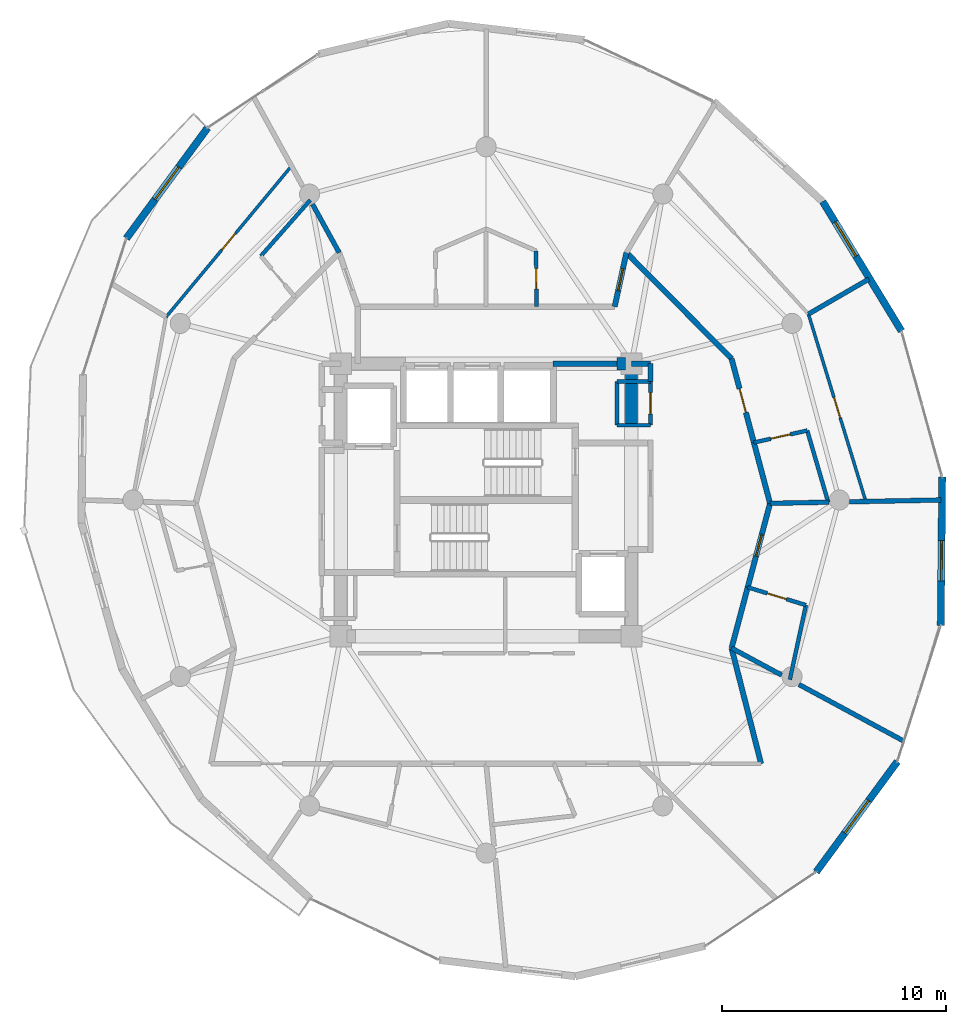
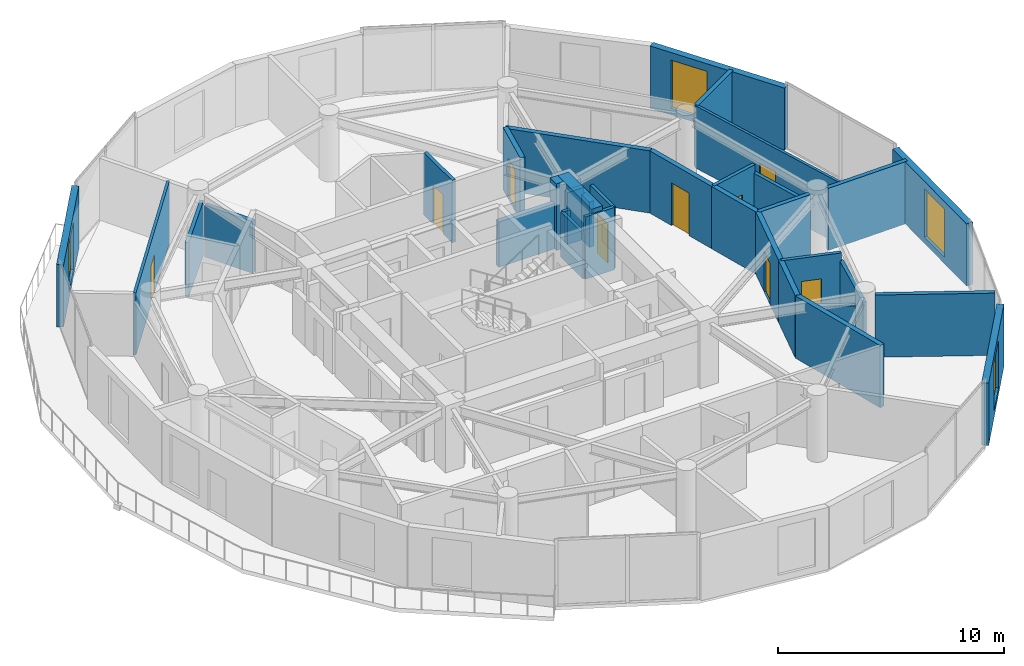
# One storey, part 17 of 20: 34 walls, 9 doors, 4 windows, 13 openings.
"""IFC4 building model written with IfcOpenShell, lengths in metres."""

from ifc_helpers import new_model, si_unit, direction, frame, frame_2d, origin, place, context, subcontext, project, spatial, rectangle, extrude, material, layer, layer_set, type_object, element, fill, save


model = new_model("IFC4")

# Units and contexts
model_context = context("Model", 3, precision=1e-05, world=origin(), true_north=direction((0.0, 1.0)))
body_context = subcontext(model_context, "Body", "Model", "MODEL_VIEW")
ifc_project = project(units=[si_unit("LENGTHUNIT", "METRE"), si_unit("AREAUNIT", "SQUARE_METRE"), si_unit("VOLUMEUNIT", "CUBIC_METRE"), si_unit("PLANEANGLEUNIT", "RADIAN"), si_unit("MASSUNIT", "GRAM", prefix="KILO")], contexts=[model_context])

# Site, building, storey
site_placement = place(None, origin())
site = spatial("IfcSite", under=ifc_project, at=site_placement, CompositionType="ELEMENT")
building_placement = place(site_placement, origin())
building = spatial("IfcBuilding", under=site, at=building_placement, Name="Solvirekh Grand Hotel", CompositionType="ELEMENT")
storey_placement = place(building_placement, frame((0.0, 0.0, 209.199951171875)))
storey = spatial("IfcBuildingStorey", under=building, at=storey_placement, Name="L54", CompositionType="ELEMENT", Elevation=209.199951171875)

# Walls
ifc_material_1 = material(Name="Concrete C50/60", Category="concrete")
ifc_layer_1 = layer(ifc_material_1, 0.550048828125)
ifc_layer_set_1 = layer_set([ifc_layer_1], Name="Concrete C50/60")
wall_type_1 = type_object("IfcWallType", Name="CoreWall_RC550", PredefinedType="SHEAR", material=ifc_layer_set_1)
wall_1_placement = place(storey_placement, frame((5.85009765625, 6.10009765625, 0.0), z_axis=(0.0, 0.0, 1.0), x_axis=(1.0, 0.0, 0.0)))
element("IfcWall", 1, at=wall_1_placement, inside=storey, type_object=wall_type_1, Name="L54 core corner shear wall NE-N", PredefinedType="SHEAR", context=body_context, shape_type="SweptSolid", body=[
    extrude(rectangle(XDim=0.375, YDim=0.550048828125, at=frame_2d((0.1875, 0.0))), origin(), (0.0, 0.0, 1.0), 3.60009765625),
])
wall_2_placement = place(storey_placement, frame((6.5, 3.35009765625, 0.0), z_axis=(0.0, 0.0, 1.0), x_axis=(0.0, 1.0, 0.0)))
element("IfcWall", 2, at=wall_2_placement, inside=storey, type_object=wall_type_1, Name="L54 core corner shear wall EN-E", PredefinedType="SHEAR", context=body_context, shape_type="SweptSolid", body=[
    extrude(rectangle(XDim=3.02490234375, YDim=0.550048828125, at=frame_2d((1.512451171875, 0.0))), origin(), (0.0, 0.0, 1.0), 3.60009765625),
])

# Wall, opening, window
ifc_material_2 = material(Name="Precast concrete C45/55", Category="concrete")
ifc_layer_2 = layer(ifc_material_2, 0.320068359375)
ifc_layer_set_2 = layer_set([ifc_layer_2], Name="Precast concrete C45/55")
wall_type_2 = type_object("IfcWallType", Name="ExtLobbyWall_RC320", PredefinedType="SOLIDWALL", material=ifc_layer_set_2)
wall_3_placement = place(storey_placement, frame((18.39599609375, -11.701904296875, 0.0), z_axis=(0.0, 0.0, 1.0), x_axis=(-0.592167723458, -0.805814735094, 0.0)))
wall_3 = element("IfcWall", 3, at=wall_3_placement, inside=storey, type_object=wall_type_2, Name="L54 exterior structural wall chord 2", PredefinedType="SOLIDWALL", context=body_context, shape_type="SweptSolid", body=[
    extrude(rectangle(XDim=6.1318359375, YDim=0.320068359375, at=frame_2d((3.06591796875, 0.0))), origin(), (0.0, 0.0, 1.0), 3.360107421875),
])
opening_1_placement = place(wall_3_placement, frame((2.166015625, 0.0, 0.35009765625)))
opening_1 = element("IfcOpeningElement", 4, at=opening_1_placement, cuts=wall_3, Name="Opening W02", PredefinedType="OPENING", context=body_context, shape_type="SweptSolid", body=[
    extrude(rectangle(XDim=1.800048828125, YDim=2.60009765625, at=frame_2d((0.89990234375, 1.300048828125))), frame((0.0, 0.169921875, 0.0), z_axis=(0.0, -1.0, 0.0), x_axis=(1.0, 0.0, 0.0)), (0.0, 0.0, 1.0), 0.340087890625),
])
ifc_material_3 = material(Name="Low-E Tinted Bronze Laminated Glass", Category="aluminium")
window_type = type_object("IfcWindowType", Name="Win_LobbyExt_1800X2600", PartitioningType="SINGLE_PANEL", PredefinedType="WINDOW", material=ifc_material_3)
window_1_placement = place(opening_1_placement, origin())
window_1 = element("IfcWindow", 5, at=window_1_placement, inside=storey, type_object=window_type, Name="L54 panoramic bronze-framed window 2", OverallHeight=2.60009765625, OverallWidth=1.800048828125, PartitioningType="SINGLE_PANEL", PredefinedType="WINDOW", context=body_context, shape_type="SweptSolid", body=[
    extrude(rectangle(XDim=1.800048828125, YDim=2.60009765625, at=frame_2d((0.89990234375, 1.300048828125))), frame((0.0, 0.030029296875, 0.0), z_axis=(0.0, -1.0, 0.0), x_axis=(1.0, 0.0, 0.0)), (0.0, 0.0, 1.0), 0.06005859375),
])
fill(opening_1, window_1)

wall_4_placement = place(storey_placement, frame((20.402099609375, 1.02197265625, 0.0), z_axis=(0.0, 0.0, 1.0), x_axis=(-0.009674000115, -0.999953205766, 0.0)))
wall_4 = element("IfcWall", 6, at=wall_4_placement, inside=storey, type_object=wall_type_2, Name="L54 exterior structural wall chord 4", PredefinedType="SOLIDWALL", context=body_context, shape_type="SweptSolid", body=[
    extrude(rectangle(XDim=6.63720703125, YDim=0.320068359375, at=frame_2d((3.318603515625, 0.0))), origin(), (0.0, 0.0, 1.0), 3.360107421875),
])
opening_2_placement = place(wall_4_placement, frame((2.843017578125, 0.0, 0.35009765625)))
opening_2 = element("IfcOpeningElement", 7, at=opening_2_placement, cuts=wall_4, Name="Opening W02", PredefinedType="OPENING", context=body_context, shape_type="SweptSolid", body=[
    extrude(rectangle(XDim=1.800048828125, YDim=2.60009765625, at=frame_2d((0.89990234375, 1.300048828125))), frame((0.0, 0.169921875, 0.0), z_axis=(0.0, -1.0, 0.0), x_axis=(1.0, 0.0, 0.0)), (0.0, 0.0, 1.0), 0.340087890625),
])
window_2_placement = place(opening_2_placement, origin())
window_2 = element("IfcWindow", 8, at=window_2_placement, inside=storey, type_object=window_type, Name="L54 panoramic bronze-framed window 4", OverallHeight=2.60009765625, OverallWidth=1.800048828125, PartitioningType="SINGLE_PANEL", PredefinedType="WINDOW", context=body_context, shape_type="SweptSolid", body=[
    extrude(rectangle(XDim=1.800048828125, YDim=2.60009765625, at=frame_2d((0.89990234375, 1.300048828125))), frame((0.0, 0.030029296875, 0.0), z_axis=(0.0, -1.0, 0.0), x_axis=(1.0, 0.0, 0.0)), (0.0, 0.0, 1.0), 0.06005859375),
])
fill(opening_2, window_2)

wall_5_placement = place(storey_placement, frame((15.054931640625, 13.35498046875, 0.0), z_axis=(0.0, 0.0, 1.0), x_axis=(0.519792847808, -0.854292336011, 0.0)))
wall_5 = element("IfcWall", 9, at=wall_5_placement, inside=storey, type_object=wall_type_2, Name="L54 exterior structural wall chord 6", PredefinedType="SOLIDWALL", context=body_context, shape_type="SweptSolid", body=[
    extrude(rectangle(XDim=6.78564453125, YDim=0.320068359375, at=frame_2d((3.392822265625, 0.0))), origin(), (0.0, 0.0, 1.0), 3.360107421875),
])
opening_3_placement = place(wall_5_placement, frame((1.069091796875, 0.0, 0.35009765625)))
opening_3 = element("IfcOpeningElement", 10, at=opening_3_placement, cuts=wall_5, Name="Opening W02", PredefinedType="OPENING", context=body_context, shape_type="SweptSolid", body=[
    extrude(rectangle(XDim=1.800048828125, YDim=2.60009765625, at=frame_2d((0.89990234375, 1.300048828125))), frame((0.0, 0.169921875, 0.0), z_axis=(0.0, -1.0, 0.0), x_axis=(1.0, 0.0, 0.0)), (0.0, 0.0, 1.0), 0.340087890625),
])
window_3_placement = place(opening_3_placement, origin())
window_3 = element("IfcWindow", 11, at=window_3_placement, inside=storey, type_object=window_type, Name="L54 panoramic bronze-framed window 6", OverallHeight=2.60009765625, OverallWidth=1.800048828125, PartitioningType="SINGLE_PANEL", PredefinedType="WINDOW", context=body_context, shape_type="SweptSolid", body=[
    extrude(rectangle(XDim=1.800048828125, YDim=2.60009765625, at=frame_2d((0.89990234375, 1.300048828125))), frame((0.0, 0.030029296875, 0.0), z_axis=(0.0, -1.0, 0.0), x_axis=(1.0, 0.0, 0.0)), (0.0, 0.0, 1.0), 0.06005859375),
])
fill(opening_3, window_3)

wall_6_placement = place(storey_placement, frame((-16.095947265625, 11.701904296875, 0.0), z_axis=(0.0, 0.0, 1.0), x_axis=(0.592141869209, 0.805833733924, 0.0)))
wall_6 = element("IfcWall", 12, at=wall_6_placement, inside=storey, type_object=wall_type_2, Name="L54 exterior structural wall chord 12", PredefinedType="SOLIDWALL", context=body_context, shape_type="SweptSolid", body=[
    extrude(rectangle(XDim=6.1318359375, YDim=0.320068359375, at=frame_2d((3.06591796875, 0.0))), origin(), (0.0, 0.0, 1.0), 3.360107421875),
])
opening_4_placement = place(wall_6_placement, frame((2.166015625, 0.0, 0.35009765625)))
opening_4 = element("IfcOpeningElement", 13, at=opening_4_placement, cuts=wall_6, Name="Opening W02", PredefinedType="OPENING", context=body_context, shape_type="SweptSolid", body=[
    extrude(rectangle(XDim=1.800048828125, YDim=2.60009765625, at=frame_2d((0.89990234375, 1.300048828125))), frame((0.0, 0.169921875, 0.0), z_axis=(0.0, -1.0, 0.0), x_axis=(1.0, 0.0, 0.0)), (0.0, 0.0, 1.0), 0.340087890625),
])
window_4_placement = place(opening_4_placement, origin())
window_4 = element("IfcWindow", 14, at=window_4_placement, inside=storey, type_object=window_type, Name="L54 panoramic bronze-framed window 12", OverallHeight=2.60009765625, OverallWidth=1.800048828125, PartitioningType="SINGLE_PANEL", PredefinedType="WINDOW", context=body_context, shape_type="SweptSolid", body=[
    extrude(rectangle(XDim=1.800048828125, YDim=2.60009765625, at=frame_2d((0.89990234375, 1.300048828125))), frame((0.0, 0.030029296875, 0.0), z_axis=(0.0, -1.0, 0.0), x_axis=(1.0, 0.0, 0.0)), (0.0, 0.0, 1.0), 0.06005859375),
])
fill(opening_4, window_4)

# Wall
ifc_material_4 = material(Name="Acoustic Gypsum Partition Assembly")
ifc_layer_3 = layer(ifc_material_4, 0.1650390625)
ifc_layer_set_3 = layer_set([ifc_layer_3], Name="Acoustic Gypsum Partition Assembly")
wall_type_3 = type_object("IfcWallType", Name="Part_BOH_165", PredefinedType="PARTITIONING", material=ifc_layer_set_3)
wall_7_placement = place(storey_placement, frame((5.85009765625, 3.35009765625, 0.0), z_axis=(0.0, 0.0, 1.0), x_axis=(1.0, 0.0, 0.0)))
element("IfcWall", 15, at=wall_7_placement, inside=storey, type_object=wall_type_3, Name="L54 L54 Core Housekeeping Room wall 1", PredefinedType="PARTITIONING", context=body_context, shape_type="SweptSolid", body=[
    extrude(rectangle(XDim=1.5, YDim=0.1650390625, at=frame_2d((0.75, 0.0))), origin(), (0.0, 0.0, 1.0), 3.360107421875),
])

# Wall, opening, door
wall_8_placement = place(storey_placement, frame((7.35009765625, 3.35009765625, 0.0), z_axis=(0.0, 0.0, 1.0), x_axis=(0.0, 1.0, 0.0)))
wall_8 = element("IfcWall", 16, at=wall_8_placement, inside=storey, type_object=wall_type_3, Name="L54 L54 Core Housekeeping Room wall 2", PredefinedType="PARTITIONING", context=body_context, shape_type="SweptSolid", body=[
    extrude(rectangle(XDim=1.949951171875, YDim=0.1650390625, at=frame_2d((0.97509765625, 0.0))), origin(), (0.0, 0.0, 1.0), 3.360107421875),
])
opening_5_placement = place(wall_8_placement, frame((0.5, 0.0, 0.0)))
opening_5 = element("IfcOpeningElement", 17, at=opening_5_placement, cuts=wall_8, Name="Opening D10", PredefinedType="OPENING", context=body_context, shape_type="SweptSolid", body=[
    extrude(rectangle(XDim=0.949951171875, YDim=2.10009765625, at=frame_2d((0.47509765625, 1.050048828125))), frame((0.0, 0.092529296875, 0.0), z_axis=(0.0, -1.0, 0.0), x_axis=(1.0, 0.0, 0.0)), (0.0, 0.0, 1.0), 0.18505859375),
])
ifc_material_5 = material(Name="Anodized Bronze Aluminium 6063-T6", Category="aluminium")
door_type_1 = type_object("IfcDoorType", Name="Door_RoomInt_950X2100", OperationType="NOTDEFINED", PredefinedType="DOOR", material=ifc_material_5)
door_1_placement = place(opening_5_placement, origin())
door_1 = element("IfcDoor", 18, at=door_1_placement, inside=storey, type_object=door_type_1, Name="L54 L54 Core Housekeeping Room door", OperationType="SINGLE_SWING_LEFT", OverallHeight=2.10009765625, OverallWidth=0.949951171875, PredefinedType="DOOR", context=body_context, shape_type="SweptSolid", body=[
    extrude(rectangle(XDim=0.949951171875, YDim=2.10009765625, at=frame_2d((0.47509765625, 1.050048828125))), frame((0.0, 0.02490234375, 0.0), z_axis=(0.0, -1.0, 0.0), x_axis=(1.0, 0.0, 0.0)), (0.0, 0.0, 1.0), 0.050048828125),
])
fill(opening_5, door_1)

# Walls
wall_9_placement = place(storey_placement, frame((7.35009765625, 5.300048828125, 0.0), z_axis=(0.0, 0.0, 1.0), x_axis=(-1.0, 0.0, 0.0)))
element("IfcWall", 19, at=wall_9_placement, inside=storey, type_object=wall_type_3, Name="L54 L54 Core Housekeeping Room wall 3", PredefinedType="PARTITIONING", context=body_context, shape_type="SweptSolid", body=[
    extrude(rectangle(XDim=1.5, YDim=0.1650390625, at=frame_2d((0.75, 0.0))), origin(), (0.0, 0.0, 1.0), 2.445068359375),
])
wall_10_placement = place(storey_placement, frame((5.85009765625, 5.300048828125, 0.0), z_axis=(0.0, 0.0, 1.0), x_axis=(0.0, -1.0, 0.0)))
element("IfcWall", 20, at=wall_10_placement, inside=storey, type_object=wall_type_3, Name="L54 L54 Core Housekeeping Room wall 4", PredefinedType="PARTITIONING", context=body_context, shape_type="SweptSolid", body=[
    extrude(rectangle(XDim=1.949951171875, YDim=0.1650390625, at=frame_2d((0.97509765625, 0.0))), origin(), (0.0, 0.0, 1.0), 2.445068359375),
])
ifc_layer_4 = layer(ifc_material_4, 0.239990234375)
ifc_layer_set_4 = layer_set([ifc_layer_4], Name="Acoustic Gypsum Partition Assembly")
wall_type_4 = type_object("IfcWallType", Name="Part_Corridor_240", PredefinedType="PARTITIONING", material=ifc_layer_set_4)
wall_11_placement = place(storey_placement, frame((3.0, 6.10009765625, 0.0), z_axis=(0.0, 0.0, 1.0), x_axis=(1.0, 0.0, 0.0)))
element("IfcWall", 21, at=wall_11_placement, inside=storey, type_object=wall_type_4, Name="L54 north core shaft infill wall", PredefinedType="PARTITIONING", context=body_context, shape_type="SweptSolid", body=[
    extrude(rectangle(XDim=2.85009765625, YDim=0.239990234375, at=frame_2d((1.425048828125, 0.0))), origin(), (0.0, 0.0, 1.0), 2.445068359375),
])
wall_12_placement = place(storey_placement, frame((7.35009765625, 5.300048828125, 0.0), z_axis=(0.0, 0.0, 1.0), x_axis=(0.0, 1.0, 0.0)))
element("IfcWall", 22, at=wall_12_placement, inside=storey, type_object=wall_type_4, Name="L54 NE core cheek closure wall", PredefinedType="PARTITIONING", context=body_context, shape_type="SweptSolid", body=[
    extrude(rectangle(XDim=0.800048828125, YDim=0.239990234375, at=frame_2d((0.39990234375, 0.0))), origin(), (0.0, 0.0, 1.0), 2.445068359375),
])
wall_13_placement = place(storey_placement, frame((6.5, 6.10009765625, 0.0), z_axis=(0.0, 0.0, 1.0), x_axis=(1.0, 0.0, 0.0)))
element("IfcWall", 23, at=wall_13_placement, inside=storey, type_object=wall_type_4, Name="L54 NE core corner tie wall", PredefinedType="PARTITIONING", context=body_context, shape_type="SweptSolid", body=[
    extrude(rectangle(XDim=0.85009765625, YDim=0.239990234375, at=frame_2d((0.425048828125, 0.0))), origin(), (0.0, 0.0, 1.0), 2.801025390625),
])

# Wall, opening, door
wall_14_placement = place(storey_placement, frame((5.75, 8.64990234375, 0.0), z_axis=(0.0, 0.0, 1.0), x_axis=(0.212388632151, 0.977185278713, 0.0)))
wall_14 = element("IfcWall", 24, at=wall_14_placement, inside=storey, type_object=wall_type_4, Name="L54 Deluxe Guestroom 5601 entrance wall", PredefinedType="PARTITIONING", context=body_context, shape_type="SweptSolid", body=[
    extrude(rectangle(XDim=2.471435546875, YDim=0.239990234375, at=frame_2d((1.23583984375, 0.0))), origin(), (0.0, 0.0, 1.0), 3.360107421875),
])
opening_6_placement = place(wall_14_placement, frame((0.736083984375, 0.0, 0.0)))
opening_6 = element("IfcOpeningElement", 25, at=opening_6_placement, cuts=wall_14, Name="Opening D07", PredefinedType="OPENING", context=body_context, shape_type="SweptSolid", body=[
    extrude(rectangle(XDim=1.0, YDim=2.199951171875, at=frame_2d((0.5, 1.10009765625))), frame((0.0, 0.1298828125, 0.0), z_axis=(0.0, -1.0, 0.0), x_axis=(1.0, 0.0, 0.0)), (0.0, 0.0, 1.0), 0.260009765625),
])
ifc_material_6 = material(Name="Fire-Rated Steel Door Assembly", Category="steel")
door_type_2 = type_object("IfcDoorType", Name="Door_GuestEntry_1000X2200", OperationType="NOTDEFINED", PredefinedType="DOOR", material=ifc_material_6)
door_2_placement = place(opening_6_placement, origin())
door_2 = element("IfcDoor", 26, at=door_2_placement, inside=storey, type_object=door_type_2, Name="L54 Deluxe Guestroom 5601 entrance door", OperationType="SINGLE_SWING_LEFT", OverallHeight=2.199951171875, OverallWidth=1.0, PredefinedType="DOOR", context=body_context, shape_type="SweptSolid", body=[
    extrude(rectangle(XDim=1.0, YDim=2.199951171875, at=frame_2d((0.5, 1.10009765625))), frame((0.0, 0.02490234375, 0.0), z_axis=(0.0, -1.0, 0.0), x_axis=(1.0, 0.0, 0.0)), (0.0, 0.0, 1.0), 0.050048828125),
])
fill(opening_6, door_2)

# Wall
wall_15_placement = place(storey_placement, frame((10.97802734375, -6.625, 0.0), z_axis=(0.0, 0.0, 1.0), x_axis=(0.256944245483, 0.966426228283, 0.0)))
element("IfcWall", 27, at=wall_15_placement, inside=storey, type_object=wall_type_4, Name="L54 En-suite Bathroom 5605 corridor backing wall", PredefinedType="PARTITIONING", context=body_context, shape_type="SweptSolid", body=[
    extrude(rectangle(XDim=2.8134765625, YDim=0.239990234375, at=frame_2d((1.40673828125, 0.0))), origin(), (0.0, 0.0, 1.0), 3.360107421875),
])

# Wall, opening, door
wall_16_placement = place(storey_placement, frame((11.700927734375, -3.906005859375, 0.0), z_axis=(0.0, 0.0, 1.0), x_axis=(0.257037057674, 0.966401547486, 0.0)))
wall_16 = element("IfcWall", 28, at=wall_16_placement, inside=storey, type_object=wall_type_4, Name="L54 Deluxe Guestroom 5605 entrance wall", PredefinedType="PARTITIONING", context=body_context, shape_type="SweptSolid", body=[
    extrude(rectangle(XDim=3.88671875, YDim=0.239990234375, at=frame_2d((1.943359375, 0.0))), origin(), (0.0, 0.0, 1.0), 3.360107421875),
])
opening_7_placement = place(wall_16_placement, frame((1.443115234375, 0.0, 0.0)))
opening_7 = element("IfcOpeningElement", 29, at=opening_7_placement, cuts=wall_16, Name="Opening D07", PredefinedType="OPENING", context=body_context, shape_type="SweptSolid", body=[
    extrude(rectangle(XDim=1.0, YDim=2.199951171875, at=frame_2d((0.5, 1.10009765625))), frame((0.0, 0.1298828125, 0.0), z_axis=(0.0, -1.0, 0.0), x_axis=(1.0, 0.0, 0.0)), (0.0, 0.0, 1.0), 0.260009765625),
])
door_3_placement = place(opening_7_placement, origin())
door_3 = element("IfcDoor", 30, at=door_3_placement, inside=storey, type_object=door_type_2, Name="L54 Deluxe Guestroom 5605 entrance door", OperationType="SINGLE_SWING_LEFT", OverallHeight=2.199951171875, OverallWidth=1.0, PredefinedType="DOOR", context=body_context, shape_type="SweptSolid", body=[
    extrude(rectangle(XDim=1.0, YDim=2.199951171875, at=frame_2d((0.5, 1.10009765625))), frame((0.0, 0.02490234375, 0.0), z_axis=(0.0, -1.0, 0.0), x_axis=(1.0, 0.0, 0.0)), (0.0, 0.0, 1.0), 0.050048828125),
])
fill(opening_7, door_3)

# Walls
wall_17_placement = place(storey_placement, frame((12.699951171875, -0.14990234375, 0.0), z_axis=(0.0, 0.0, 1.0), x_axis=(-0.256858081143, 0.966449132729, 0.0)))
element("IfcWall", 31, at=wall_17_placement, inside=storey, type_object=wall_type_4, Name="L54 En-suite Bathroom 5606 corridor backing wall", PredefinedType="PARTITIONING", context=body_context, shape_type="SweptSolid", body=[
    extrude(rectangle(XDim=2.814453125, YDim=0.239990234375, at=frame_2d((1.4072265625, 0.0))), origin(), (0.0, 0.0, 1.0), 3.360107421875),
])
wall_18_placement = place(storey_placement, frame((10.97802734375, 6.324951171875, 0.0), z_axis=(0.0, 0.0, 1.0), x_axis=(-0.704340920508, 0.709861865223, 0.0)))
element("IfcWall", 32, at=wall_18_placement, inside=storey, type_object=wall_type_4, Name="L54 Executive Suite 5606 Living Room corridor wall 1", PredefinedType="PARTITIONING", context=body_context, shape_type="SweptSolid", body=[
    extrude(rectangle(XDim=6.67724609375, YDim=0.239990234375, at=frame_2d((3.338623046875, 0.0))), origin(), (0.0, 0.0, 1.0), 3.360107421875),
])

# Wall, opening, door
wall_19_placement = place(storey_placement, frame((11.97705078125, 2.570068359375, 0.0), z_axis=(0.0, 0.0, 1.0), x_axis=(-0.257115096486, 0.966380787867, 0.0)))
wall_19 = element("IfcWall", 33, at=wall_19_placement, inside=storey, type_object=wall_type_4, Name="L54 Executive Suite 5606 Living Room entrance wall", PredefinedType="PARTITIONING", context=body_context, shape_type="SweptSolid", body=[
    extrude(rectangle(XDim=3.885498046875, YDim=0.239990234375, at=frame_2d((1.94287109375, 0.0))), origin(), (0.0, 0.0, 1.0), 3.360107421875),
])
opening_8_placement = place(wall_19_placement, frame((1.39306640625, 0.0, 0.0)))
opening_8 = element("IfcOpeningElement", 34, at=opening_8_placement, cuts=wall_19, Name="Opening D08", PredefinedType="OPENING", context=body_context, shape_type="SweptSolid", body=[
    extrude(rectangle(XDim=1.10009765625, YDim=2.300048828125, at=frame_2d((0.550048828125, 1.14990234375))), frame((0.0, 0.1298828125, 0.0), z_axis=(0.0, -1.0, 0.0), x_axis=(1.0, 0.0, 0.0)), (0.0, 0.0, 1.0), 0.260009765625),
])
door_type_3 = type_object("IfcDoorType", Name="Door_SuiteEntry_1100X2300", OperationType="NOTDEFINED", PredefinedType="DOOR", material=ifc_material_6)
door_4_placement = place(opening_8_placement, origin())
door_4 = element("IfcDoor", 35, at=door_4_placement, inside=storey, type_object=door_type_3, Name="L54 Executive Suite 5606 Living Room entrance door", OperationType="SINGLE_SWING_LEFT", OverallHeight=2.300048828125, OverallWidth=1.10009765625, PredefinedType="DOOR", context=body_context, shape_type="SweptSolid", body=[
    extrude(rectangle(XDim=1.10009765625, YDim=2.300048828125, at=frame_2d((0.550048828125, 1.14990234375))), frame((0.0, 0.02490234375, 0.0), z_axis=(0.0, -1.0, 0.0), x_axis=(1.0, 0.0, 0.0)), (0.0, 0.0, 1.0), 0.050048828125),
])
fill(opening_8, door_4)

# Wall
wall_20_placement = place(storey_placement, frame((12.300048828125, -11.800048828125, 0.0), z_axis=(0.0, 0.0, 1.0), x_axis=(-0.247511976945, 0.968884833852, 0.0)))
element("IfcWall", 36, at=wall_20_placement, inside=storey, type_object=wall_type_4, Name="L54 L54 Butler Valet & Linen Steward Room corridor wall 1", PredefinedType="PARTITIONING", context=body_context, shape_type="SweptSolid", body=[
    extrude(rectangle(XDim=5.34130859375, YDim=0.239990234375, at=frame_2d((2.670654296875, 0.0))), origin(), (0.0, 0.0, 1.0), 3.360107421875),
])

# Wall, opening, door
ifc_layer_5 = layer(ifc_material_4, 0.135009765625)
ifc_layer_set_5 = layer_set([ifc_layer_5], Name="Acoustic Gypsum Partition Assembly")
wall_type_5 = type_object("IfcWallType", Name="Part_RoomInt_135", PredefinedType="PARTITIONING", material=ifc_layer_set_5)
wall_21_placement = place(storey_placement, frame((-8.70703125, 14.93994140625, 0.0), z_axis=(0.0, 0.0, 1.0), x_axis=(-0.639161138837, -0.769072843495, 0.0)))
wall_21 = element("IfcWall", 37, at=wall_21_placement, inside=storey, type_object=wall_type_5, Name="L54 Executive Suite 5603 Living Room bedroom screen wall", PredefinedType="PARTITIONING", context=body_context, shape_type="SweptSolid", body=[
    extrude(rectangle(XDim=8.781982421875, YDim=0.135009765625, at=frame_2d((4.39111328125, 0.0))), origin(), (0.0, 0.0, 1.0), 3.360107421875),
])
opening_9_placement = place(wall_21_placement, frame((3.916015625, 0.0, 0.0)))
opening_9 = element("IfcOpeningElement", 38, at=opening_9_placement, cuts=wall_21, Name="Opening D10", PredefinedType="OPENING", context=body_context, shape_type="SweptSolid", body=[
    extrude(rectangle(XDim=0.949951171875, YDim=2.10009765625, at=frame_2d((0.47509765625, 1.050048828125))), frame((0.0, 0.07763671875, 0.0), z_axis=(0.0, -1.0, 0.0), x_axis=(1.0, 0.0, 0.0)), (0.0, 0.0, 1.0), 0.155029296875),
])
door_5_placement = place(opening_9_placement, origin())
door_5 = element("IfcDoor", 39, at=door_5_placement, inside=storey, type_object=door_type_1, Name="L54 Executive Suite 5603 Living Room master bedroom door", OperationType="SINGLE_SWING_RIGHT", OverallHeight=2.10009765625, OverallWidth=0.949951171875, PredefinedType="DOOR", context=body_context, shape_type="SweptSolid", body=[
    extrude(rectangle(XDim=0.949951171875, YDim=2.10009765625, at=frame_2d((0.47509765625, 1.050048828125))), frame((0.0, 0.02490234375, 0.0), z_axis=(0.0, -1.0, 0.0), x_axis=(1.0, 0.0, 0.0)), (0.0, 0.0, 1.0), 0.050048828125),
])
fill(opening_9, door_5)

wall_22_placement = place(storey_placement, frame((16.985107421875, -0.06591796875, 0.0), z_axis=(0.0, 0.0, 1.0), x_axis=(-0.292776617633, 0.956180867915, 0.0)))
wall_22 = element("IfcWall", 40, at=wall_22_placement, inside=storey, type_object=wall_type_5, Name="L54 Executive Suite 5606 Living Room bedroom screen wall", PredefinedType="PARTITIONING", context=body_context, shape_type="SweptSolid", body=[
    extrude(rectangle(XDim=8.768310546875, YDim=0.135009765625, at=frame_2d((4.38427734375, 0.0))), origin(), (0.0, 0.0, 1.0), 3.360107421875),
])
opening_10_placement = place(wall_22_placement, frame((3.908935546875, 0.0, 0.0)))
opening_10 = element("IfcOpeningElement", 41, at=opening_10_placement, cuts=wall_22, Name="Opening D10", PredefinedType="OPENING", context=body_context, shape_type="SweptSolid", body=[
    extrude(rectangle(XDim=0.949951171875, YDim=2.10009765625, at=frame_2d((0.47509765625, 1.050048828125))), frame((0.0, 0.07763671875, 0.0), z_axis=(0.0, -1.0, 0.0), x_axis=(1.0, 0.0, 0.0)), (0.0, 0.0, 1.0), 0.155029296875),
])
door_6_placement = place(opening_10_placement, origin())
door_6 = element("IfcDoor", 42, at=door_6_placement, inside=storey, type_object=door_type_1, Name="L54 Executive Suite 5606 Living Room master bedroom door", OperationType="SINGLE_SWING_RIGHT", OverallHeight=2.10009765625, OverallWidth=0.949951171875, PredefinedType="DOOR", context=body_context, shape_type="SweptSolid", body=[
    extrude(rectangle(XDim=0.949951171875, YDim=2.10009765625, at=frame_2d((0.47509765625, 1.050048828125))), frame((0.0, 0.02490234375, 0.0), z_axis=(0.0, -1.0, 0.0), x_axis=(1.0, 0.0, 0.0)), (0.0, 0.0, 1.0), 0.050048828125),
])
fill(opening_10, door_6)

# Walls
ifc_layer_6 = layer(ifc_material_4, 0.2099609375)
ifc_layer_set_6 = layer_set([ifc_layer_6], Name="Acoustic Gypsum Partition Assembly")
wall_type_6 = type_object("IfcWallType", Name="Part_SuiteDemise_210", PredefinedType="PARTITIONING", material=ifc_layer_set_6)
wall_23_placement = place(storey_placement, frame((12.699951171875, -0.14990234375, 0.0), z_axis=(0.0, 0.0, 1.0), x_axis=(0.999806076636, 0.019692869828, 0.0)))
element("IfcWall", 43, at=wall_23_placement, inside=storey, type_object=wall_type_6, Name="L54 suite radial wall 1 (A)", PredefinedType="PARTITIONING", context=body_context, shape_type="SweptSolid", body=[
    extrude(rectangle(XDim=2.640625, YDim=0.2099609375, at=frame_2d((1.3203125, 0.0))), origin(), (0.0, 0.0, 1.0), 3.360107421875),
])
wall_24_placement = place(storey_placement, frame((16.262939453125, -0.080078125, 0.0), z_axis=(0.0, 0.0, 1.0), x_axis=(0.999808303125, 0.019579504653, 0.0)))
element("IfcWall", 44, at=wall_24_placement, inside=storey, type_object=wall_type_6, Name="L54 suite radial wall 1 (B)", PredefinedType="PARTITIONING", context=body_context, shape_type="SweptSolid", body=[
    extrude(rectangle(XDim=4.08984375, YDim=0.2099609375, at=frame_2d((2.044921875, 0.0))), origin(), (0.0, 0.0, 1.0), 3.360107421875),
])
wall_25_placement = place(storey_placement, frame((-6.574951171875, 11.06494140625, 0.0), z_axis=(0.0, 0.0, 1.0), x_axis=(-0.482312715348, 0.875999112222, 0.0)))
element("IfcWall", 45, at=wall_25_placement, inside=storey, type_object=wall_type_6, Name="L54 suite radial wall 5 (A)", PredefinedType="PARTITIONING", context=body_context, shape_type="SweptSolid", body=[
    extrude(rectangle(XDim=2.4736328125, YDim=0.2099609375, at=frame_2d((1.23681640625, 0.0))), origin(), (0.0, 0.0, 1.0), 2.801025390625),
])
wall_26_placement = place(storey_placement, frame((10.97802734375, -6.625, 0.0), z_axis=(0.0, 0.0, 1.0), x_axis=(0.88000562824, -0.4749632557, 0.0)))
element("IfcWall", 46, at=wall_26_placement, inside=storey, type_object=wall_type_6, Name="L54 suite radial wall 12 (A)", PredefinedType="PARTITIONING", context=body_context, shape_type="SweptSolid", body=[
    extrude(rectangle(XDim=2.54541015625, YDim=0.2099609375, at=frame_2d((1.272705078125, 0.0))), origin(), (0.0, 0.0, 1.0), 2.801025390625),
])
wall_27_placement = place(storey_placement, frame((13.992919921875, -8.2529296875, 0.0), z_axis=(0.0, 0.0, 1.0), x_axis=(0.879934691378, -0.475094663104, 0.0)))
element("IfcWall", 47, at=wall_27_placement, inside=storey, type_object=wall_type_6, Name="L54 suite radial wall 12 (B)", PredefinedType="PARTITIONING", context=body_context, shape_type="SweptSolid", body=[
    extrude(rectangle(XDim=5.296142578125, YDim=0.2099609375, at=frame_2d((2.64794921875, 0.0))), origin(), (0.0, 0.0, 1.0), 3.360107421875),
])
wall_28_placement = place(storey_placement, frame((14.41796875, 8.318115234375, 0.0), z_axis=(0.0, 0.0, 1.0), x_axis=(0.865215694167, 0.501399843006, 0.0)))
element("IfcWall", 48, at=wall_28_placement, inside=storey, type_object=wall_type_6, Name="L54 Executive Suite 5606 Living Room dividing partition 1", PredefinedType="PARTITIONING", context=body_context, shape_type="SweptSolid", body=[
    extrude(rectangle(XDim=3.123046875, YDim=0.2099609375, at=frame_2d((1.5615234375, 0.0))), origin(), (0.0, 0.0, 1.0), 3.360107421875),
])

# Wall, opening, door
ifc_layer_7 = layer(ifc_material_4, 0.175048828125)
ifc_layer_set_7 = layer_set([ifc_layer_7], Name="Acoustic Gypsum Partition Assembly")
wall_type_7 = type_object("IfcWallType", Name="Plumb_Ensuite_175", PredefinedType="PLUMBINGWALL", material=ifc_layer_set_7)
wall_29_placement = place(storey_placement, frame((2.25, 8.64990234375, 0.0), z_axis=(0.0, 0.0, 1.0), x_axis=(-0.005961582878, 0.999982229607, 0.0)))
wall_29 = element("IfcWall", 49, at=wall_29_placement, inside=storey, type_object=wall_type_7, Name="L54 En-suite Bathroom 5601 entry plumbing wall", PredefinedType="PLUMBINGWALL", context=body_context, shape_type="SweptSolid", body=[
    extrude(rectangle(XDim=2.498046875, YDim=0.175048828125, at=frame_2d((1.2490234375, 0.0))), origin(), (0.0, 0.0, 1.0), 3.360107421875),
])
opening_11_placement = place(wall_29_placement, frame((0.799072265625, 0.0, 0.0)))
opening_11 = element("IfcOpeningElement", 50, at=opening_11_placement, cuts=wall_29, Name="Opening D09", PredefinedType="OPENING", context=body_context, shape_type="SweptSolid", body=[
    extrude(rectangle(XDim=0.89990234375, YDim=2.10009765625, at=frame_2d((0.449951171875, 1.050048828125))), frame((0.0, 0.09765625, 0.0), z_axis=(0.0, -1.0, 0.0), x_axis=(1.0, 0.0, 0.0)), (0.0, 0.0, 1.0), 0.195068359375),
])
door_type_4 = type_object("IfcDoorType", Name="Door_Ensuite_900X2100", OperationType="NOTDEFINED", PredefinedType="DOOR", material=ifc_material_5)
door_7_placement = place(opening_11_placement, origin())
door_7 = element("IfcDoor", 51, at=door_7_placement, inside=storey, type_object=door_type_4, Name="L54 En-suite Bathroom 5601 door", OperationType="SINGLE_SWING_RIGHT", OverallHeight=2.10009765625, OverallWidth=0.89990234375, PredefinedType="DOOR", context=body_context, shape_type="SweptSolid", body=[
    extrude(rectangle(XDim=0.89990234375, YDim=2.10009765625, at=frame_2d((0.449951171875, 1.050048828125))), frame((0.0, 0.02490234375, 0.0), z_axis=(0.0, -1.0, 0.0), x_axis=(1.0, 0.0, 0.0)), (0.0, 0.0, 1.0), 0.050048828125),
])
fill(opening_11, door_7)

# Walls
wall_30_placement = place(storey_placement, frame((-7.8701171875, 13.4169921875, 0.0), z_axis=(0.0, 0.0, 1.0), x_axis=(-0.661193309015, -0.750215574428, 0.0)))
element("IfcWall", 52, at=wall_30_placement, inside=storey, type_object=wall_type_7, Name="L54 En-suite Bathroom 5603 outer plumbing wall", PredefinedType="PLUMBINGWALL", context=body_context, shape_type="SweptSolid", body=[
    extrude(rectangle(XDim=3.337646484375, YDim=0.175048828125, at=frame_2d((1.6689453125, 0.0))), origin(), (0.0, 0.0, 1.0), 2.928955078125),
])
wall_31_placement = place(storey_placement, frame((13.5869140625, -8.033935546875, 0.0), z_axis=(0.0, 0.0, 1.0), x_axis=(0.211201499273, 0.97744254394, 0.0)))
element("IfcWall", 53, at=wall_31_placement, inside=storey, type_object=wall_type_7, Name="L54 En-suite Bathroom 5605 outer plumbing wall", PredefinedType="PLUMBINGWALL", context=body_context, shape_type="SweptSolid", body=[
    extrude(rectangle(XDim=3.408935546875, YDim=0.175048828125, at=frame_2d((1.70458984375, 0.0))), origin(), (0.0, 0.0, 1.0), 2.928955078125),
])

# Wall, opening, door
wall_32_placement = place(storey_placement, frame((11.700927734375, -3.906005859375, 0.0), z_axis=(0.0, 0.0, 1.0), x_axis=(0.956389123017, -0.29209560999, 0.0)))
wall_32 = element("IfcWall", 54, at=wall_32_placement, inside=storey, type_object=wall_type_7, Name="L54 En-suite Bathroom 5605 entry plumbing wall", PredefinedType="PLUMBINGWALL", context=body_context, shape_type="SweptSolid", body=[
    extrude(rectangle(XDim=2.724853515625, YDim=0.175048828125, at=frame_2d((1.3623046875, 0.0))), origin(), (0.0, 0.0, 1.0), 3.360107421875),
])
opening_12_placement = place(wall_32_placement, frame((0.912109375, 0.0, 0.0)))
opening_12 = element("IfcOpeningElement", 55, at=opening_12_placement, cuts=wall_32, Name="Opening D09", PredefinedType="OPENING", context=body_context, shape_type="SweptSolid", body=[
    extrude(rectangle(XDim=0.89990234375, YDim=2.10009765625, at=frame_2d((0.449951171875, 1.050048828125))), frame((0.0, 0.09765625, 0.0), z_axis=(0.0, -1.0, 0.0), x_axis=(1.0, 0.0, 0.0)), (0.0, 0.0, 1.0), 0.195068359375),
])
door_8_placement = place(opening_12_placement, origin())
door_8 = element("IfcDoor", 56, at=door_8_placement, inside=storey, type_object=door_type_4, Name="L54 En-suite Bathroom 5605 door", OperationType="SINGLE_SWING_RIGHT", OverallHeight=2.10009765625, OverallWidth=0.89990234375, PredefinedType="DOOR", context=body_context, shape_type="SweptSolid", body=[
    extrude(rectangle(XDim=0.89990234375, YDim=2.10009765625, at=frame_2d((0.449951171875, 1.050048828125))), frame((0.0, 0.02490234375, 0.0), z_axis=(0.0, -1.0, 0.0), x_axis=(1.0, 0.0, 0.0)), (0.0, 0.0, 1.0), 0.050048828125),
])
fill(opening_12, door_8)

# Wall
wall_33_placement = place(storey_placement, frame((15.302001953125, -0.09912109375, 0.0), z_axis=(0.0, 0.0, 1.0), x_axis=(-0.280987384428, 0.959711461739, 0.0)))
element("IfcWall", 57, at=wall_33_placement, inside=storey, type_object=wall_type_7, Name="L54 En-suite Bathroom 5606 outer plumbing wall", PredefinedType="PLUMBINGWALL", context=body_context, shape_type="SweptSolid", body=[
    extrude(rectangle(XDim=3.341552734375, YDim=0.175048828125, at=frame_2d((1.6708984375, 0.0))), origin(), (0.0, 0.0, 1.0), 2.928955078125),
])

# Wall, opening, door
wall_34_placement = place(storey_placement, frame((11.97705078125, 2.570068359375, 0.0), z_axis=(0.0, 0.0, 1.0), x_axis=(0.975522568514, 0.219899336789, 0.0)))
wall_34 = element("IfcWall", 58, at=wall_34_placement, inside=storey, type_object=wall_type_7, Name="L54 En-suite Bathroom 5606 entry plumbing wall", PredefinedType="PLUMBINGWALL", context=body_context, shape_type="SweptSolid", body=[
    extrude(rectangle(XDim=2.44580078125, YDim=0.175048828125, at=frame_2d((1.222900390625, 0.0))), origin(), (0.0, 0.0, 1.0), 3.360107421875),
])
opening_13_placement = place(wall_34_placement, frame((0.77294921875, 0.0, 0.0)))
opening_13 = element("IfcOpeningElement", 59, at=opening_13_placement, cuts=wall_34, Name="Opening D09", PredefinedType="OPENING", context=body_context, shape_type="SweptSolid", body=[
    extrude(rectangle(XDim=0.89990234375, YDim=2.10009765625, at=frame_2d((0.449951171875, 1.050048828125))), frame((0.0, 0.09765625, 0.0), z_axis=(0.0, -1.0, 0.0), x_axis=(1.0, 0.0, 0.0)), (0.0, 0.0, 1.0), 0.195068359375),
])
door_9_placement = place(opening_13_placement, origin())
door_9 = element("IfcDoor", 60, at=door_9_placement, inside=storey, type_object=door_type_4, Name="L54 En-suite Bathroom 5606 door", OperationType="SINGLE_SWING_RIGHT", OverallHeight=2.10009765625, OverallWidth=0.89990234375, PredefinedType="DOOR", context=body_context, shape_type="SweptSolid", body=[
    extrude(rectangle(XDim=0.89990234375, YDim=2.10009765625, at=frame_2d((0.449951171875, 1.050048828125))), frame((0.0, 0.02490234375, 0.0), z_axis=(0.0, -1.0, 0.0), x_axis=(1.0, 0.0, 0.0)), (0.0, 0.0, 1.0), 0.050048828125),
])
fill(opening_13, door_9)

save(model, "model.ifc")
